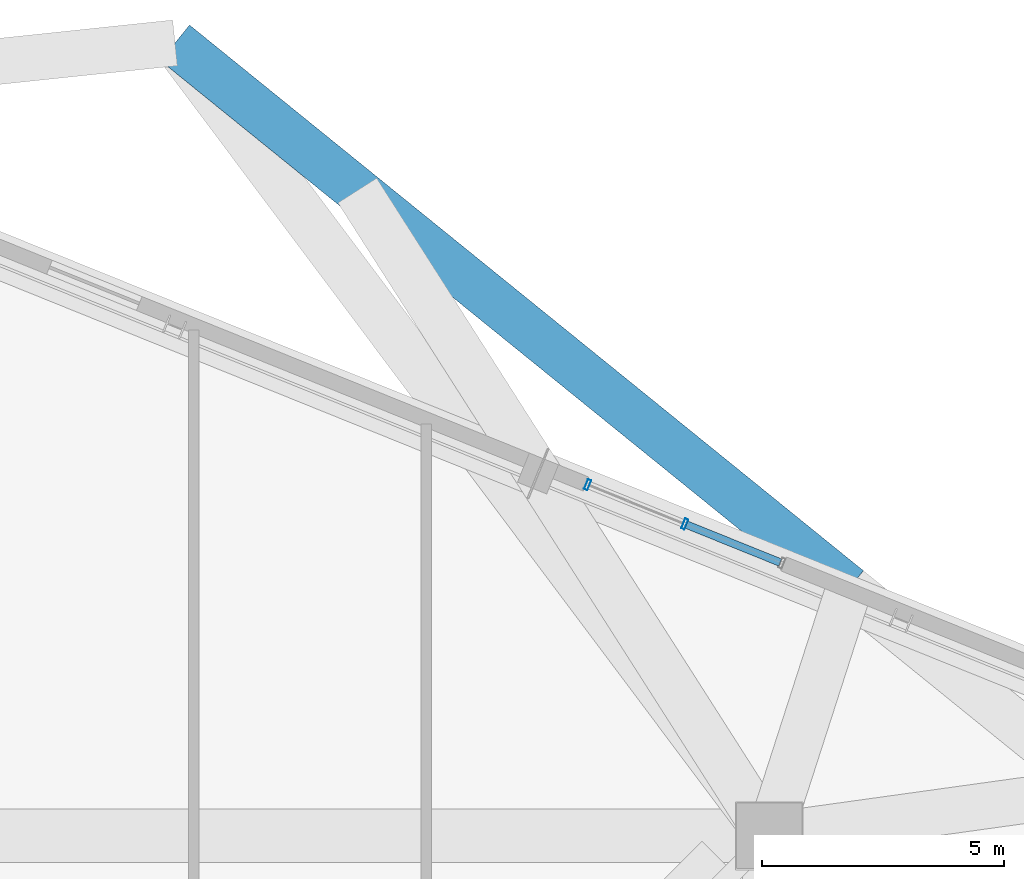
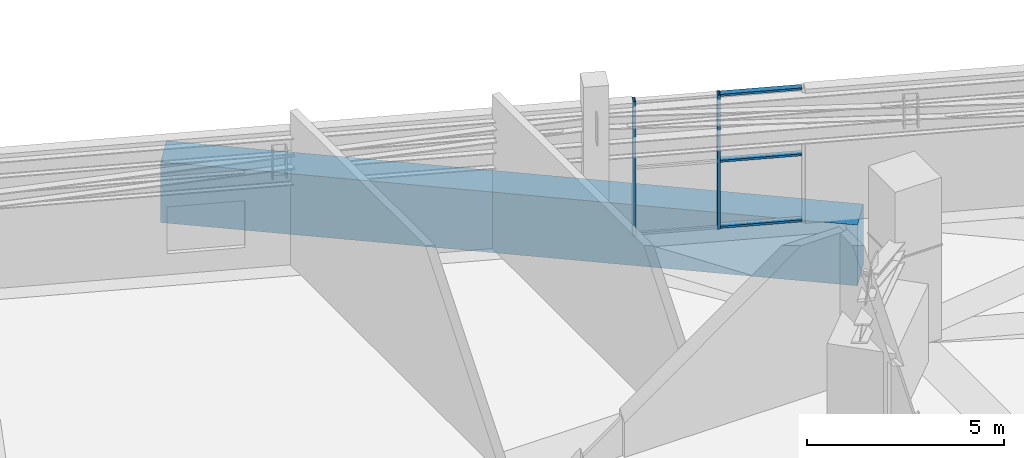
# One storey, part 10 of 20: 5 members, 1 beam, 1 element without a shape of its own.
"""IFC4 building model written with IfcOpenShell, lengths in metres."""

from ifc_helpers import new_model, si_unit, direction, frame, origin, origin_2d, place, context, subcontext, project, spatial, rectangle, hollow_rectangle, extrude, source, transform, mapped, material, layer, layer_set, material_profile, profile_set, type_object, element, aggregate, save


model = new_model("IFC4")

# Units and contexts
model_context = context("Model", 3, precision=1e-05, world=origin(), true_north=direction((0.0, 1.0)))
body_context = subcontext(model_context, "Body", "Model", "MODEL_VIEW")
ifc_project = project(units=[si_unit("LENGTHUNIT", "METRE"), si_unit("AREAUNIT", "SQUARE_METRE"), si_unit("VOLUMEUNIT", "CUBIC_METRE"), si_unit("PLANEANGLEUNIT", "RADIAN"), si_unit("MASSUNIT", "GRAM", prefix="KILO"), si_unit("THERMODYNAMICTEMPERATUREUNIT", "KELVIN")], contexts=[model_context])

# Site, building, storey
site_placement = place(None, origin())
site = spatial("IfcSite", under=ifc_project, at=site_placement, CompositionType="ELEMENT")
building_placement = place(site_placement, origin())
building = spatial("IfcBuilding", under=site, at=building_placement, Name="Kosmvard Interchange Tower", CompositionType="ELEMENT")
storey_placement = place(building_placement, frame((0.0, 0.0, 260.199951171875)))
storey = spatial("IfcBuildingStorey", under=building, at=storey_placement, Name="L63", CompositionType="ELEMENT", Elevation=260.199951171875)

# Beam
ifc_material_1 = material(Name="Concrete C60/75", Category="concrete")
ifc_material_profile_1 = material_profile(ifc_material_1, rectangle(XDim=0.949951171875, YDim=1.8798828125, at=origin_2d()), Name="TG 950x1880")
ifc_profile_set_1 = profile_set([ifc_material_profile_1], Name="Concrete C60/75")
beam_type = type_object("IfcBeamType", Name="Upper Long-Span Transfer Girder 950x1880 C60/75", PredefinedType="USERDEFINED", material=ifc_profile_set_1)
shared_shape_1 = source(origin(), body_context, "Body", "SweptSolid", [
    extrude(rectangle(XDim=0.949951171875, YDim=1.8798828125, at=origin_2d()), origin(), (0.0, 0.0, 1.0), 17.89990234375),
])
beam_placement = place(storey_placement, frame((14.72607421875, 18.185302734375, -0.93994140625), z_axis=(-0.777150526976, 0.629314753061, 0.0), x_axis=(-0.629314753061, -0.777150526976, 0.0)))
element("IfcBeam", 1, at=beam_placement, inside=storey, type_object=beam_type, Name="BM-L63-LR05", ObjectType="TRANSFER_GIRDER", PredefinedType="USERDEFINED", context=body_context, shape_type="MappedRepresentation", body=[
    mapped(shared_shape_1, transform((0.0, 0.0, 0.0), scale=1.0)),
])

# Curtain wall, members
ifc_material_2 = material(Name="Architectural anodised aluminium", Category="aluminium")
ifc_layer = layer(ifc_material_2, 0.2099609375, Name="Architectural anodised aluminium")
ifc_layer_set = layer_set([ifc_layer], Name="Architectural anodised aluminium")
curtain_wall_type = type_object("IfcCurtainWallType", Name="CW-4 Refuge Transfer Glazed Louvre Wall", PredefinedType="NOTDEFINED", material=ifc_layer_set)
curtain_wall_placement = place(storey_placement, origin())
curtain_wall = element("IfcCurtainWall", 2, at=curtain_wall_placement, inside=storey, type_object=curtain_wall_type, Name="L63 Transfer Louvre Curtain Wall E", PredefinedType="NOTDEFINED")
ifc_material_profile_2 = material_profile(ifc_material_2, hollow_rectangle(XDim=0.159912109375, YDim=0.06494140625, WallThickness=0.00390625, at=origin_2d()), Name="CWT 160x65x4")
ifc_profile_set_2 = profile_set([ifc_material_profile_2], Name="Architectural anodised aluminium")
member_type_1 = type_object("IfcMemberType", Name="Standard CW Transom 160x65 Aluminium", PredefinedType="USERDEFINED", material=ifc_profile_set_2)
shared_shape_2 = source(origin(), body_context, "Body", "SweptSolid", [
    extrude(hollow_rectangle(XDim=0.159912109375, YDim=0.06494140625, WallThickness=0.00390625, at=origin_2d()), origin(), (0.0, 0.0, 1.0), 2.087646484375),
])
member_1_placement = place(storey_placement, frame((13.307861328125, 18.72314453125, 0.032470703125), z_axis=(-0.92718872564, 0.37459453686, 0.0), x_axis=(-0.37459453686, -0.92718872564, 0.0)))
member_1 = element("IfcMember", 3, at=member_1_placement, type_object=member_type_1, Name="CW-4 transom 1.1", ObjectType="TRANSOM", PredefinedType="USERDEFINED", context=body_context, shape_type="MappedRepresentation", body=[
    mapped(shared_shape_2, transform((0.0, 0.0, 0.0), scale=1.0)),
])
member_2_placement = place(storey_placement, frame((13.307861328125, 18.72314453125, 2.074951171875), z_axis=(-0.92718872564, 0.37459453686, 0.0), x_axis=(-0.37459453686, -0.92718872564, 0.0)))
member_2 = element("IfcMember", 4, at=member_2_placement, type_object=member_type_1, Name="CW-4 transom 1.2", ObjectType="TRANSOM", PredefinedType="USERDEFINED", context=body_context, shape_type="MappedRepresentation", body=[
    mapped(shared_shape_2, transform((0.0, 0.0, 0.0), scale=1.0)),
])
member_3_placement = place(storey_placement, frame((13.307861328125, 18.72314453125, 4.117431640625), z_axis=(-0.92718872564, 0.37459453686, 0.0), x_axis=(-0.37459453686, -0.92718872564, 0.0)))
member_3 = element("IfcMember", 5, at=member_3_placement, type_object=member_type_1, Name="CW-4 transom 1.3", ObjectType="TRANSOM", PredefinedType="USERDEFINED", context=body_context, shape_type="MappedRepresentation", body=[
    mapped(shared_shape_2, transform((0.0, 0.0, 0.0), scale=1.0)),
])
ifc_material_profile_3 = material_profile(ifc_material_2, hollow_rectangle(XDim=0.219970703125, YDim=0.074951171875, WallThickness=0.0048828125, at=origin_2d()), Name="CWM 220x75x5")
ifc_profile_set_3 = profile_set([ifc_material_profile_3], Name="Architectural anodised aluminium")
member_type_2 = type_object("IfcMemberType", Name="Concourse CW Mullion 220x75 Aluminium", PredefinedType="MULLION", material=ifc_profile_set_3)
shared_shape_3 = source(origin(), body_context, "Body", "SweptSolid", [
    extrude(hollow_rectangle(XDim=0.219970703125, YDim=0.074951171875, WallThickness=0.0048828125, at=origin_2d()), origin(), (0.0, 0.0, 1.0), 4.150146484375),
])
member_4_placement = place(storey_placement, frame((11.337646484375, 19.519287109375, 0.0), z_axis=(0.0, 0.0, 1.0), x_axis=(-0.374606588108, -0.927183856711, 0.0)))
member_4 = element("IfcMember", 6, at=member_4_placement, type_object=member_type_2, Name="CW-4 mullion 2", PredefinedType="MULLION", context=body_context, shape_type="MappedRepresentation", body=[
    mapped(shared_shape_3, transform((0.0, 0.0, 0.0), scale=1.0)),
])
member_5_placement = place(storey_placement, frame((9.33251953125, 20.329345703125, 0.0), z_axis=(0.0, 0.0, 1.0), x_axis=(-0.374606588108, -0.927183856711, 0.0)))
member_5 = element("IfcMember", 7, at=member_5_placement, type_object=member_type_2, Name="CW-4 mullion 3", PredefinedType="MULLION", context=body_context, shape_type="MappedRepresentation", body=[
    mapped(shared_shape_3, transform((0.0, 0.0, 0.0), scale=1.0)),
])
aggregate(curtain_wall, [member_4, member_5, member_1, member_2, member_3])

save(model, "model.ifc")
